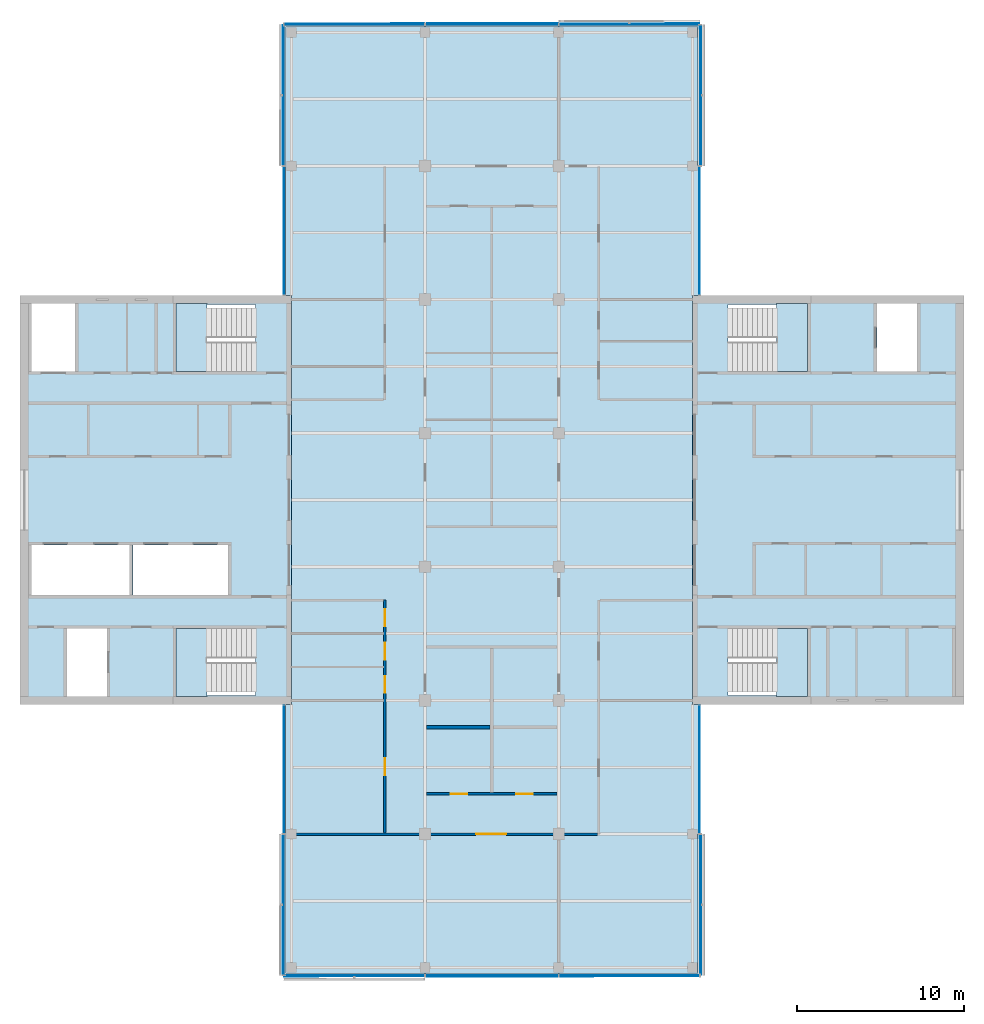
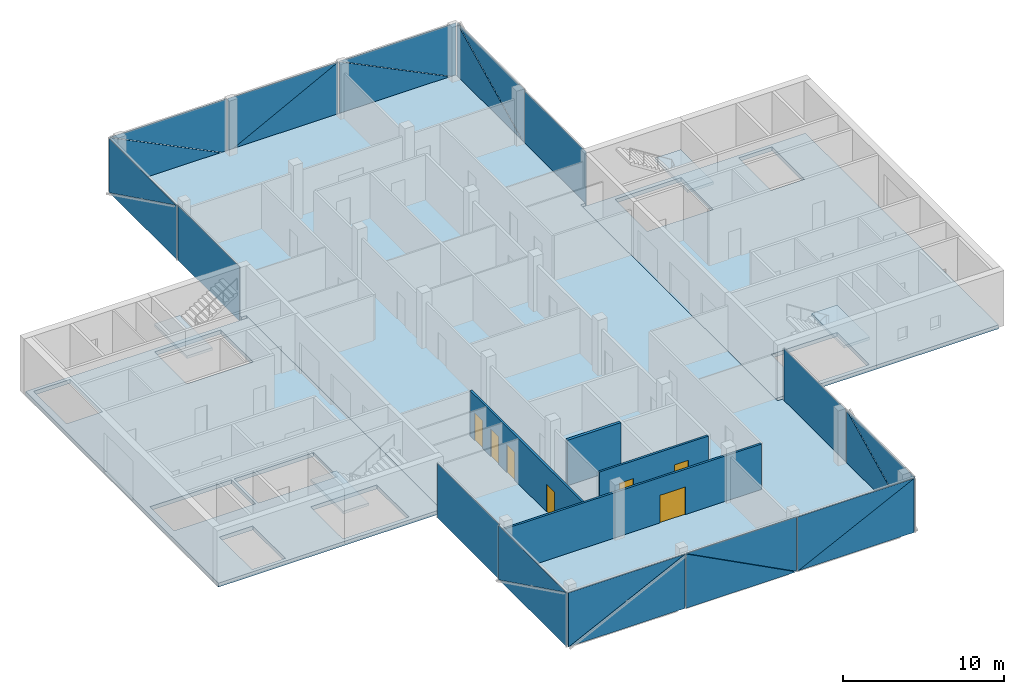
# One storey, part 8 of 16: 24 plates, 7 doors, 7 slabs, 4 walls, 7 openings, 14 elements without a shape of their own.
"""IFC4 building model written with IfcOpenShell, lengths in metres."""

from ifc_helpers import new_model, si_unit, direction, frame, frame_2d, origin, place, context, subcontext, project, spatial, polyline, rectangle, outline, extrude, material, layer, layer_set, type_object, element, fill, aggregate, save


model = new_model("IFC4")

# Units and contexts
model_context = context("Model", 3, precision=1e-05, world=origin(), true_north=direction((0.0, 1.0)))
body_context = subcontext(model_context, "Body", "Model", "MODEL_VIEW")
ifc_project = project(units=[si_unit("LENGTHUNIT", "METRE"), si_unit("AREAUNIT", "SQUARE_METRE"), si_unit("VOLUMEUNIT", "CUBIC_METRE"), si_unit("PLANEANGLEUNIT", "RADIAN"), si_unit("MASSUNIT", "GRAM", prefix="KILO")], contexts=[model_context])

# Site, building, storey
site_placement = place(None, origin())
site = spatial("IfcSite", under=ifc_project, at=site_placement, CompositionType="ELEMENT")
building_placement = place(site_placement, origin())
building = spatial("IfcBuilding", under=site, at=building_placement, Name="Crosswind Convention Tower", CompositionType="ELEMENT")
storey_placement = place(building_placement, frame((0.0, 0.0, 274.5)))
storey = spatial("IfcBuildingStorey", under=building, at=storey_placement, Name="L59", CompositionType="ELEMENT", Elevation=274.5)

# Slabs
ifc_material_1 = material(Name="Concrete C40/50", Category="concrete")
ifc_layer_1 = layer(ifc_material_1, 0.300048828125)
ifc_layer_set_1 = layer_set([ifc_layer_1], Name="Concrete C40/50")
slab_type_1 = type_object("IfcSlabType", Name="Composite floor slab 300", PredefinedType="FLOOR", material=ifc_layer_set_1)
slab_1_placement = place(storey_placement, frame((0.0, 0.0, -0.300048828125)))
element("IfcSlab", 1, at=slab_1_placement, inside=storey, type_object=slab_type_1, Name="Floor slab L59", PredefinedType="FLOOR", context=body_context, shape_type="SweptSolid", body=[
    extrude(outline(polyline([(137.35009765625, 71.64990234375), (137.0, 71.64990234375), (113.0, 71.64990234375), (112.64990234375, 71.64990234375), (112.64990234375, 72.0), (112.64990234375, 87.75), (113.0, 87.75), (113.0, 112.25), (112.64990234375, 112.25), (112.64990234375, 128.0), (112.64990234375, 128.35009765625), (113.0, 128.35009765625), (137.0, 128.35009765625), (137.35009765625, 128.35009765625), (137.35009765625, 128.0), (137.35009765625, 112.25), (137.0, 112.25), (137.0, 87.75), (137.35009765625, 87.75), (137.35009765625, 72.0), (137.35009765625, 71.64990234375)])), origin(), (0.0, 0.0, 1.0), 0.300048828125),
])
ifc_layer_2 = layer(ifc_material_1, 0.300048828125)
ifc_layer_set_2 = layer_set([ifc_layer_2], Name="Concrete C40/50")
slab_type_2 = type_object("IfcSlabType", Name="Concrete core floor slab 300", PredefinedType="FLOOR", material=ifc_layer_set_2)
slab_2_placement = place(storey_placement, frame((0.0, 0.0, -0.300048828125)))
element("IfcSlab", 2, at=slab_2_placement, inside=storey, type_object=slab_type_2, Name="Core floor slab E L59", PredefinedType="FLOOR", context=body_context, shape_type="SweptSolid", body=[
    extrude(outline(polyline([(137.0, 88.0), (153.0, 88.0), (153.0, 112.0), (137.0, 112.0), (137.0, 88.0)]), holes=[polyline([(150.449951171875, 107.699951171875), (150.449951171875, 111.75), (148.050048828125, 111.75), (148.050048828125, 107.699951171875), (150.449951171875, 107.699951171875)]), polyline([(143.89990234375, 107.699951171875), (143.89990234375, 111.699951171875), (139.14990234375, 111.699951171875), (139.14990234375, 107.699951171875), (143.89990234375, 107.699951171875)]), polyline([(143.89990234375, 88.300048828125), (143.89990234375, 92.300048828125), (139.14990234375, 92.300048828125), (139.14990234375, 88.300048828125), (143.89990234375, 88.300048828125)])]), origin(), (0.0, 0.0, 1.0), 0.300048828125),
])
slab_3_placement = place(storey_placement, frame((0.0, 0.0, -0.300048828125)))
element("IfcSlab", 3, at=slab_3_placement, inside=storey, type_object=slab_type_2, Name="Core floor slab W L59", PredefinedType="FLOOR", context=body_context, shape_type="SweptSolid", body=[
    extrude(outline(polyline([(97.0, 88.0), (113.0, 88.0), (113.0, 112.0), (97.0, 112.0), (97.0, 88.0)]), holes=[polyline([(109.199951171875, 94.300048828125), (109.199951171875, 97.300048828125), (103.5, 97.300048828125), (103.5, 94.300048828125), (109.199951171875, 94.300048828125)]), polyline([(103.300048828125, 94.300048828125), (103.300048828125, 97.300048828125), (97.449951171875, 97.300048828125), (97.449951171875, 94.300048828125), (103.300048828125, 94.300048828125)]), polyline([(101.949951171875, 88.25), (101.949951171875, 92.300048828125), (99.550048828125, 92.300048828125), (99.550048828125, 88.25), (101.949951171875, 88.25)]), polyline([(100.050048828125, 107.699951171875), (100.050048828125, 111.75), (97.449951171875, 111.75), (97.449951171875, 107.699951171875), (100.050048828125, 107.699951171875)]), polyline([(110.85009765625, 88.300048828125), (110.85009765625, 92.300048828125), (106.10009765625, 92.300048828125), (106.10009765625, 88.300048828125), (110.85009765625, 88.300048828125)]), polyline([(110.85009765625, 107.699951171875), (110.85009765625, 111.699951171875), (106.10009765625, 111.699951171875), (106.10009765625, 107.699951171875), (110.85009765625, 107.699951171875)])]), origin(), (0.0, 0.0, 1.0), 0.300048828125),
])

# Stair, slab
stair_type = type_object("IfcStairType", Name="Exit stair 1800 wide, 2 flights of 11 risers", PredefinedType="HALF_TURN_STAIR", material=ifc_material_1)
stair_1_placement = place(storey_placement, origin())
stair_1 = element("IfcStair", 4, at=stair_1_placement, inside=storey, type_object=stair_type, Name="Exit stair ST1 L59", ObjectType="ST5", PredefinedType="HALF_TURN_STAIR")
ifc_layer_3 = layer(ifc_material_1, 0.199951171875)
ifc_layer_set_3 = layer_set([ifc_layer_3], Name="Concrete C40/50")
slab_type_3 = type_object("IfcSlabType", Name="Stair landing 200", PredefinedType="LANDING", material=ifc_layer_set_3)
slab_4_placement = place(storey_placement, frame((0.0, 0.0, 1.89990234375)))
slab_4 = element("IfcSlab", 5, at=slab_4_placement, type_object=slab_type_3, Name="ST1 landing 1", PredefinedType="LANDING", context=body_context, shape_type="SweptSolid", body=[
    extrude(outline(polyline([(143.89990234375, 107.699951171875), (143.89990234375, 111.75), (142.050048828125, 111.75), (142.050048828125, 107.699951171875), (143.89990234375, 107.699951171875)])), origin(), (0.0, 0.0, 1.0), 0.2001953125),
])
aggregate(stair_1, [slab_4])

stair_2_placement = place(storey_placement, origin())
stair_2 = element("IfcStair", 6, at=stair_2_placement, inside=storey, type_object=stair_type, Name="Exit stair ST2 L59", ObjectType="ST5", PredefinedType="HALF_TURN_STAIR")
slab_5_placement = place(storey_placement, frame((0.0, 0.0, 1.89990234375)))
slab_5 = element("IfcSlab", 7, at=slab_5_placement, type_object=slab_type_3, Name="ST2 landing 1", PredefinedType="LANDING", context=body_context, shape_type="SweptSolid", body=[
    extrude(outline(polyline([(143.89990234375, 88.25), (143.89990234375, 92.300048828125), (142.050048828125, 92.300048828125), (142.050048828125, 88.25), (143.89990234375, 88.25)])), origin(), (0.0, 0.0, 1.0), 0.2001953125),
])
aggregate(stair_2, [slab_5])

stair_3_placement = place(storey_placement, origin())
stair_3 = element("IfcStair", 8, at=stair_3_placement, inside=storey, type_object=stair_type, Name="Exit stair ST3 L59", ObjectType="ST5", PredefinedType="HALF_TURN_STAIR")
slab_6_placement = place(storey_placement, frame((0.0, 0.0, 1.89990234375)))
slab_6 = element("IfcSlab", 9, at=slab_6_placement, type_object=slab_type_3, Name="ST3 landing 1", PredefinedType="LANDING", context=body_context, shape_type="SweptSolid", body=[
    extrude(outline(polyline([(107.949951171875, 88.25), (107.949951171875, 92.300048828125), (106.10009765625, 92.300048828125), (106.10009765625, 88.25), (107.949951171875, 88.25)])), origin(), (0.0, 0.0, 1.0), 0.2001953125),
])
aggregate(stair_3, [slab_6])

stair_4_placement = place(storey_placement, origin())
stair_4 = element("IfcStair", 10, at=stair_4_placement, inside=storey, type_object=stair_type, Name="Exit stair ST4 L59", ObjectType="ST5", PredefinedType="HALF_TURN_STAIR")
slab_7_placement = place(storey_placement, frame((0.0, 0.0, 1.89990234375)))
slab_7 = element("IfcSlab", 11, at=slab_7_placement, type_object=slab_type_3, Name="ST4 landing 1", PredefinedType="LANDING", context=body_context, shape_type="SweptSolid", body=[
    extrude(outline(polyline([(107.949951171875, 107.699951171875), (107.949951171875, 111.75), (106.10009765625, 111.75), (106.10009765625, 107.699951171875), (107.949951171875, 107.699951171875)])), origin(), (0.0, 0.0, 1.0), 0.2001953125),
])
aggregate(stair_4, [slab_7])

# Curtain wall, plate
ifc_material_2 = material(Name="Aluminium unitised curtain wall", Category="aluminium")
curtain_wall_type_1 = type_object("IfcCurtainWallType", Name="CORE END SLOT WALL 160", PredefinedType="USERDEFINED", material=ifc_material_2)
curtain_wall_1_placement = place(storey_placement, origin())
curtain_wall_1 = element("IfcCurtainWall", 12, at=curtain_wall_1_placement, inside=storey, type_object=curtain_wall_type_1, Name="CW6 L59 N-E.1-1 slot", ObjectType="UNITISED", PredefinedType="USERDEFINED")
ifc_material_3 = material(Name="Laminated insulating glass unit", Category="glass")
ifc_layer_4 = layer(ifc_material_3, 0.02587890625)
ifc_layer_set_4 = layer_set([ifc_layer_4], Name="TRIANGULAR GLASS PANEL 26")
plate_type_1 = type_object("IfcPlateType", Name="TRIANGULAR GLASS PANEL 26", PredefinedType="CURTAIN_PANEL", material=ifc_layer_set_4)
plate_1_placement = place(storey_placement, frame((137.456787109375, 112.300048828125, -0.300048828125), z_axis=(0.999999915215, 0.0, 0.000411788894), x_axis=(0.0, 1.0, 0.0)))
plate_1 = element("IfcPlate", 13, at=plate_1_placement, type_object=plate_type_1, Name="CW6 panel 1.1", PredefinedType="CURTAIN_PANEL", context=body_context, shape_type="SweptSolid", body=[
    extrude(outline(polyline([(0.0, 0.0), (7.64990234375, 0.0), (7.64990234375, 4.150146836245408), (0.0, 4.150146836245408), (0.0, 0.0)])), origin(), (0.0, 0.0, -1.0), 0.02587890625),
])
aggregate(curtain_wall_1, [plate_1])

curtain_wall_2_placement = place(storey_placement, origin())
curtain_wall_2 = element("IfcCurtainWall", 14, at=curtain_wall_2_placement, inside=storey, type_object=curtain_wall_type_1, Name="CW6 L59 N-W.1-2 slot", ObjectType="UNITISED", PredefinedType="USERDEFINED")
plate_2_placement = place(storey_placement, frame((112.543212890625, 119.949951171875, -0.300048828125), z_axis=(-0.999999915215, 0.0, 0.000411788894), x_axis=(0.0, -1.0, 0.0)))
plate_2 = element("IfcPlate", 15, at=plate_2_placement, type_object=plate_type_1, Name="CW6 panel 1.1", PredefinedType="CURTAIN_PANEL", context=body_context, shape_type="SweptSolid", body=[
    extrude(outline(polyline([(0.0, 0.0), (7.64990234375, 0.0), (7.64990234375, 4.150146836245408), (0.0, 4.150146836245408), (0.0, 0.0)])), origin(), (0.0, 0.0, -1.0), 0.02587890625),
])
aggregate(curtain_wall_2, [plate_2])

curtain_wall_3_placement = place(storey_placement, origin())
curtain_wall_3 = element("IfcCurtainWall", 16, at=curtain_wall_3_placement, inside=storey, type_object=curtain_wall_type_1, Name="CW6 L59 S-W.1-1 slot", ObjectType="UNITISED", PredefinedType="USERDEFINED")
plate_3_placement = place(storey_placement, frame((112.543212890625, 87.699951171875, -0.300048828125), z_axis=(-0.999999915215, 0.0, 0.000411788894), x_axis=(0.0, -1.0, 0.0)))
plate_3 = element("IfcPlate", 17, at=plate_3_placement, type_object=plate_type_1, Name="CW6 panel 1.1", PredefinedType="CURTAIN_PANEL", context=body_context, shape_type="SweptSolid", body=[
    extrude(outline(polyline([(0.0, 0.0), (7.64990234375, 0.0), (7.64990234375, 4.150146836245408), (0.0, 4.150146836245408), (0.0, 0.0)])), origin(), (0.0, 0.0, -1.0), 0.02587890625),
])
aggregate(curtain_wall_3, [plate_3])

curtain_wall_4_placement = place(storey_placement, origin())
curtain_wall_4 = element("IfcCurtainWall", 18, at=curtain_wall_4_placement, inside=storey, type_object=curtain_wall_type_1, Name="CW6 L59 S-E.1-2 slot", ObjectType="UNITISED", PredefinedType="USERDEFINED")
plate_4_placement = place(storey_placement, frame((137.456787109375, 80.050048828125, -0.300048828125), z_axis=(0.999999915215, 0.0, 0.000411788894), x_axis=(0.0, 1.0, 0.0)))
plate_4 = element("IfcPlate", 19, at=plate_4_placement, type_object=plate_type_1, Name="CW6 panel 1.1", PredefinedType="CURTAIN_PANEL", context=body_context, shape_type="SweptSolid", body=[
    extrude(outline(polyline([(0.0, 0.0), (7.64990234375, 0.0), (7.64990234375, 4.150146836245408), (0.0, 4.150146836245408), (0.0, 0.0)])), origin(), (0.0, 0.0, -1.0), 0.02587890625),
])
aggregate(curtain_wall_4, [plate_4])

# Curtain wall, plates
curtain_wall_type_2 = type_object("IfcCurtainWallType", Name="OFFICE UNITISED WALL 220", PredefinedType="USERDEFINED", material=ifc_material_2)
curtain_wall_5_placement = place(storey_placement, origin())
curtain_wall_5 = element("IfcCurtainWall", 20, at=curtain_wall_5_placement, inside=storey, type_object=curtain_wall_type_2, Name="CW3 L59 N-E 1", ObjectType="UNITISED", PredefinedType="USERDEFINED")
ifc_layer_5 = layer(ifc_material_3, 0.031982421875)
ifc_layer_set_5 = layer_set([ifc_layer_5], Name="TRIANGULAR GLASS PANEL 32")
plate_type_2 = type_object("IfcPlateType", Name="TRIANGULAR GLASS PANEL 32", PredefinedType="CURTAIN_PANEL", material=ifc_layer_set_5)
plate_5_placement = place(storey_placement, frame((137.492919921875, 128.425048828125, -0.300048828125), z_axis=(0.999999913924, 0.0, 0.000414913129), x_axis=(-0.000414913129, 0.0, 0.999999913924)))
plate_5 = element("IfcPlate", 21, at=plate_5_placement, type_object=plate_type_2, Name="CW3 panel 1.1", PredefinedType="CURTAIN_PANEL", context=body_context, shape_type="SweptSolid", body=[
    extrude(outline(polyline([(0.0, 0.0), (4.118896838915043, 0.0), (0.0, 8.367431640625), (0.0, 0.0)])), origin(), (0.0, 0.0, -1.0), 0.031982421875),
])
plate_6_placement = place(storey_placement, frame((137.525146484375, 120.034912109375, 3.830078125), z_axis=(0.999999913924, 0.0, 0.000414913129), x_axis=(0.000414913129, 0.0, -0.999999913924)))
plate_6 = element("IfcPlate", 22, at=plate_6_placement, type_object=plate_type_2, Name="CW3 panel 1.2", PredefinedType="CURTAIN_PANEL", context=body_context, shape_type="SweptSolid", body=[
    extrude(outline(polyline([(0.0, 0.0), (4.118896838915043, 0.0), (0.0, 8.367431640625), (0.0, 0.0)])), origin(), (0.0, 0.0, -1.0), 0.031982421875),
])
aggregate(curtain_wall_5, [plate_5, plate_6])

curtain_wall_6_placement = place(storey_placement, origin())
curtain_wall_6 = element("IfcCurtainWall", 23, at=curtain_wall_6_placement, inside=storey, type_object=curtain_wall_type_2, Name="CW3 L59 N-TIP 1", ObjectType="UNITISED", PredefinedType="USERDEFINED")
plate_7_placement = place(storey_placement, frame((129.034912109375, 128.492919921875, -0.300048828125), z_axis=(0.0, 0.999999913924, 0.000414913129), x_axis=(0.0, -0.000414913129, 0.999999913924)))
plate_7 = element("IfcPlate", 24, at=plate_7_placement, type_object=plate_type_2, Name="CW3 panel 1.1", PredefinedType="CURTAIN_PANEL", context=body_context, shape_type="SweptSolid", body=[
    extrude(outline(polyline([(0.0, 0.0), (4.118896838915043, 0.0), (0.0, 8.367431640625), (0.0, 0.0)])), origin(), (0.0, 0.0, -1.0), 0.031982421875),
])
plate_8_placement = place(storey_placement, frame((137.425048828125, 128.525146484375, 3.830078125), z_axis=(0.0, 0.999999913924, 0.000414913129), x_axis=(0.0, 0.000414913129, -0.999999913924)))
plate_8 = element("IfcPlate", 25, at=plate_8_placement, type_object=plate_type_2, Name="CW3 panel 1.2", PredefinedType="CURTAIN_PANEL", context=body_context, shape_type="SweptSolid", body=[
    extrude(outline(polyline([(0.0, 0.0), (4.118896838915043, 0.0), (0.0, 8.367431640625), (0.0, 0.0)])), origin(), (0.0, 0.0, -1.0), 0.031982421875),
])
plate_9_placement = place(storey_placement, frame((121.034912109375, 128.4912109375, 3.830078125), z_axis=(0.0, 0.999999913924, 0.000414913129), x_axis=(1.0, 0.0, 0.0)))
plate_9 = element("IfcPlate", 26, at=plate_9_placement, type_object=plate_type_2, Name="CW3 panel 2.1", PredefinedType="CURTAIN_PANEL", context=body_context, shape_type="SweptSolid", body=[
    extrude(outline(polyline([(0.0, 0.0), (7.908447265625, 0.0), (0.0, 4.118896838915043), (0.0, 0.0)])), origin(), (0.0, 0.0, -1.0), 0.031982421875),
])
plate_10_placement = place(storey_placement, frame((128.965087890625, 128.52685546875, -0.300048828125), z_axis=(0.0, 0.999999913913, 0.000414937724), x_axis=(-1.0, 0.0, 0.0)))
plate_10 = element("IfcPlate", 27, at=plate_10_placement, type_object=plate_type_2, Name="CW3 panel 2.2", PredefinedType="CURTAIN_PANEL", context=body_context, shape_type="SweptSolid", body=[
    extrude(outline(polyline([(0.0, 0.0), (7.908447265625, 0.0), (0.0, 4.118652698311059), (0.0, 0.0)])), origin(), (0.0, 0.0, -1.0), 0.031982421875),
])
plate_11_placement = place(storey_placement, frame((112.574951171875, 128.492919921875, -0.300048828125), z_axis=(0.0, 0.999999913924, 0.000414913129), x_axis=(0.0, -0.000414913129, 0.999999913924)))
plate_11 = element("IfcPlate", 28, at=plate_11_placement, type_object=plate_type_2, Name="CW3 panel 3.1", PredefinedType="CURTAIN_PANEL", context=body_context, shape_type="SweptSolid", body=[
    extrude(outline(polyline([(0.0, 0.0), (4.118896838915043, 0.0), (0.0, 8.367431640625), (0.0, 0.0)])), origin(), (0.0, 0.0, -1.0), 0.031982421875),
])
plate_12_placement = place(storey_placement, frame((120.965087890625, 128.525146484375, 3.830078125), z_axis=(0.0, 0.999999913924, 0.000414913129), x_axis=(0.0, 0.000414913129, -0.999999913924)))
plate_12 = element("IfcPlate", 29, at=plate_12_placement, type_object=plate_type_2, Name="CW3 panel 3.2", PredefinedType="CURTAIN_PANEL", context=body_context, shape_type="SweptSolid", body=[
    extrude(outline(polyline([(0.0, 0.0), (4.118896838915043, 0.0), (0.0, 8.367431640625), (0.0, 0.0)])), origin(), (0.0, 0.0, -1.0), 0.031982421875),
])
aggregate(curtain_wall_6, [plate_7, plate_8, plate_9, plate_10, plate_11, plate_12])

curtain_wall_7_placement = place(storey_placement, origin())
curtain_wall_7 = element("IfcCurtainWall", 30, at=curtain_wall_7_placement, inside=storey, type_object=curtain_wall_type_2, Name="CW3 L59 N-W 1", ObjectType="UNITISED", PredefinedType="USERDEFINED")
plate_13_placement = place(storey_placement, frame((112.507080078125, 120.034912109375, -0.300048828125), z_axis=(-0.999999913924, 0.0, 0.000414913129), x_axis=(0.000414913129, 0.0, 0.999999913924)))
plate_13 = element("IfcPlate", 31, at=plate_13_placement, type_object=plate_type_2, Name="CW3 panel 1.1", PredefinedType="CURTAIN_PANEL", context=body_context, shape_type="SweptSolid", body=[
    extrude(outline(polyline([(0.0, 0.0), (4.118896838915043, 0.0), (0.0, 8.367431640625), (0.0, 0.0)])), origin(), (0.0, 0.0, -1.0), 0.031982421875),
])
plate_14_placement = place(storey_placement, frame((112.474853515625, 128.425048828125, 3.830078125), z_axis=(-0.999999913924, 0.0, 0.000414913129), x_axis=(-0.000414913129, 0.0, -0.999999913924)))
plate_14 = element("IfcPlate", 32, at=plate_14_placement, type_object=plate_type_2, Name="CW3 panel 1.2", PredefinedType="CURTAIN_PANEL", context=body_context, shape_type="SweptSolid", body=[
    extrude(outline(polyline([(0.0, 0.0), (4.118896838915043, 0.0), (0.0, 8.367431640625), (0.0, 0.0)])), origin(), (0.0, 0.0, -1.0), 0.031982421875),
])
aggregate(curtain_wall_7, [plate_13, plate_14])

curtain_wall_8_placement = place(storey_placement, origin())
curtain_wall_8 = element("IfcCurtainWall", 33, at=curtain_wall_8_placement, inside=storey, type_object=curtain_wall_type_2, Name="CW3 L59 S-W 1", ObjectType="UNITISED", PredefinedType="USERDEFINED")
plate_15_placement = place(storey_placement, frame((112.507080078125, 71.574951171875, -0.300048828125), z_axis=(-0.999999913924, 0.0, 0.000414913129), x_axis=(0.000414913129, 0.0, 0.999999913924)))
plate_15 = element("IfcPlate", 34, at=plate_15_placement, type_object=plate_type_2, Name="CW3 panel 1.1", PredefinedType="CURTAIN_PANEL", context=body_context, shape_type="SweptSolid", body=[
    extrude(outline(polyline([(0.0, 0.0), (4.118896838915043, 0.0), (0.0, 8.367431640625), (0.0, 0.0)])), origin(), (0.0, 0.0, -1.0), 0.031982421875),
])
plate_16_placement = place(storey_placement, frame((112.474853515625, 79.965087890625, 3.830078125), z_axis=(-0.999999913924, 0.0, 0.000414913129), x_axis=(-0.000414913129, 0.0, -0.999999913924)))
plate_16 = element("IfcPlate", 35, at=plate_16_placement, type_object=plate_type_2, Name="CW3 panel 1.2", PredefinedType="CURTAIN_PANEL", context=body_context, shape_type="SweptSolid", body=[
    extrude(outline(polyline([(0.0, 0.0), (4.118896838915043, 0.0), (0.0, 8.367431640625), (0.0, 0.0)])), origin(), (0.0, 0.0, -1.0), 0.031982421875),
])
aggregate(curtain_wall_8, [plate_15, plate_16])

curtain_wall_9_placement = place(storey_placement, origin())
curtain_wall_9 = element("IfcCurtainWall", 36, at=curtain_wall_9_placement, inside=storey, type_object=curtain_wall_type_2, Name="CW3 L59 S-TIP 1", ObjectType="UNITISED", PredefinedType="USERDEFINED")
plate_17_placement = place(storey_placement, frame((120.965087890625, 71.507080078125, -0.300048828125), z_axis=(0.0, -0.999999913924, 0.000414913129), x_axis=(0.0, 0.000414913129, 0.999999913924)))
plate_17 = element("IfcPlate", 37, at=plate_17_placement, type_object=plate_type_2, Name="CW3 panel 1.1", PredefinedType="CURTAIN_PANEL", context=body_context, shape_type="SweptSolid", body=[
    extrude(outline(polyline([(0.0, 0.0), (4.118896838915043, 0.0), (0.0, 8.367431640625), (0.0, 0.0)])), origin(), (0.0, 0.0, -1.0), 0.031982421875),
])
plate_18_placement = place(storey_placement, frame((112.574951171875, 71.474853515625, 3.830078125), z_axis=(0.0, -0.999999913924, 0.000414913129), x_axis=(0.0, -0.000414913129, -0.999999913924)))
plate_18 = element("IfcPlate", 38, at=plate_18_placement, type_object=plate_type_2, Name="CW3 panel 1.2", PredefinedType="CURTAIN_PANEL", context=body_context, shape_type="SweptSolid", body=[
    extrude(outline(polyline([(0.0, 0.0), (4.118896838915043, 0.0), (0.0, 8.367431640625), (0.0, 0.0)])), origin(), (0.0, 0.0, -1.0), 0.031982421875),
])
plate_19_placement = place(storey_placement, frame((128.965087890625, 71.5087890625, 3.830078125), z_axis=(0.0, -0.999999913924, 0.000414913129), x_axis=(-1.0, 0.0, 0.0)))
plate_19 = element("IfcPlate", 39, at=plate_19_placement, type_object=plate_type_2, Name="CW3 panel 2.1", PredefinedType="CURTAIN_PANEL", context=body_context, shape_type="SweptSolid", body=[
    extrude(outline(polyline([(0.0, 0.0), (7.908447265625, 0.0), (0.0, 4.118896838915043), (0.0, 0.0)])), origin(), (0.0, 0.0, -1.0), 0.031982421875),
])
plate_20_placement = place(storey_placement, frame((121.034912109375, 71.47314453125, -0.300048828125), z_axis=(0.0, -0.999999913913, 0.000414937724), x_axis=(1.0, 0.0, 0.0)))
plate_20 = element("IfcPlate", 40, at=plate_20_placement, type_object=plate_type_2, Name="CW3 panel 2.2", PredefinedType="CURTAIN_PANEL", context=body_context, shape_type="SweptSolid", body=[
    extrude(outline(polyline([(0.0, 0.0), (7.908447265625, 0.0), (0.0, 4.118652698311059), (0.0, 0.0)])), origin(), (0.0, 0.0, -1.0), 0.031982421875),
])
plate_21_placement = place(storey_placement, frame((137.425048828125, 71.507080078125, -0.300048828125), z_axis=(0.0, -0.999999913924, 0.000414913129), x_axis=(0.0, 0.000414913129, 0.999999913924)))
plate_21 = element("IfcPlate", 41, at=plate_21_placement, type_object=plate_type_2, Name="CW3 panel 3.1", PredefinedType="CURTAIN_PANEL", context=body_context, shape_type="SweptSolid", body=[
    extrude(outline(polyline([(0.0, 0.0), (4.118896838915043, 0.0), (0.0, 8.367431640625), (0.0, 0.0)])), origin(), (0.0, 0.0, -1.0), 0.031982421875),
])
plate_22_placement = place(storey_placement, frame((129.034912109375, 71.474853515625, 3.830078125), z_axis=(0.0, -0.999999913924, 0.000414913129), x_axis=(0.0, -0.000414913129, -0.999999913924)))
plate_22 = element("IfcPlate", 42, at=plate_22_placement, type_object=plate_type_2, Name="CW3 panel 3.2", PredefinedType="CURTAIN_PANEL", context=body_context, shape_type="SweptSolid", body=[
    extrude(outline(polyline([(0.0, 0.0), (4.118896838915043, 0.0), (0.0, 8.367431640625), (0.0, 0.0)])), origin(), (0.0, 0.0, -1.0), 0.031982421875),
])
aggregate(curtain_wall_9, [plate_17, plate_18, plate_19, plate_20, plate_21, plate_22])

curtain_wall_10_placement = place(storey_placement, origin())
curtain_wall_10 = element("IfcCurtainWall", 43, at=curtain_wall_10_placement, inside=storey, type_object=curtain_wall_type_2, Name="CW3 L59 S-E 1", ObjectType="UNITISED", PredefinedType="USERDEFINED")
plate_23_placement = place(storey_placement, frame((137.492919921875, 79.965087890625, -0.300048828125), z_axis=(0.999999913924, 0.0, 0.000414913129), x_axis=(-0.000414913129, 0.0, 0.999999913924)))
plate_23 = element("IfcPlate", 44, at=plate_23_placement, type_object=plate_type_2, Name="CW3 panel 1.1", PredefinedType="CURTAIN_PANEL", context=body_context, shape_type="SweptSolid", body=[
    extrude(outline(polyline([(0.0, 0.0), (4.118896838915043, 0.0), (0.0, 8.367431640625), (0.0, 0.0)])), origin(), (0.0, 0.0, -1.0), 0.031982421875),
])
plate_24_placement = place(storey_placement, frame((137.525146484375, 71.574951171875, 3.830078125), z_axis=(0.999999913924, 0.0, 0.000414913129), x_axis=(0.000414913129, 0.0, -0.999999913924)))
plate_24 = element("IfcPlate", 45, at=plate_24_placement, type_object=plate_type_2, Name="CW3 panel 1.2", PredefinedType="CURTAIN_PANEL", context=body_context, shape_type="SweptSolid", body=[
    extrude(outline(polyline([(0.0, 0.0), (4.118896838915043, 0.0), (0.0, 8.367431640625), (0.0, 0.0)])), origin(), (0.0, 0.0, -1.0), 0.031982421875),
])
aggregate(curtain_wall_10, [plate_23, plate_24])

# Wall
ifc_material_4 = material(Name="Concrete blockwork", Category="masonry")
ifc_layer_6 = layer(ifc_material_4, 0.199951171875)
ifc_layer_set_6 = layer_set([ifc_layer_6], Name="COMPARTMENT WALL 200 BLOCKWORK")
wall_type_1 = type_object("IfcWallType", Name="COMPARTMENT WALL 200 BLOCKWORK", PredefinedType="SOLIDWALL", material=ifc_layer_set_6)
wall_1_placement = place(storey_placement, frame((121.074951171875, 86.39990234375, 0.0), z_axis=(0.0, 0.0, 1.0), x_axis=(1.0, 0.0, 0.0)))
element("IfcWall", 46, at=wall_1_placement, inside=storey, type_object=wall_type_1, Name="Compartment wall WT42", PredefinedType="SOLIDWALL", context=body_context, shape_type="SweptSolid", body=[
    extrude(rectangle(XDim=3.824951171875, YDim=0.199951171875, at=frame_2d((1.91259765625, 0.0))), origin(), (0.0, 0.0, 1.0), 3.44287109375),
])

# Wall, openings, doors
ifc_material_5 = material(Name="Fire-board partition with mineral wool", Category="gypsum")
ifc_layer_7 = layer(ifc_material_5, 0.14990234375)
ifc_layer_set_7 = layer_set([ifc_layer_7], Name="TENANCY WALL 150 TWO-HOUR BOARD")
wall_type_2 = type_object("IfcWallType", Name="TENANCY WALL 150 TWO-HOUR BOARD", PredefinedType="PARTITIONING", material=ifc_layer_set_7)
wall_2_placement = place(storey_placement, frame((118.60009765625, 80.074951171875, 0.0), z_axis=(0.0, 0.0, 1.0), x_axis=(0.0, 1.0, 0.0)))
wall_2 = element("IfcWall", 47, at=wall_2_placement, inside=storey, type_object=wall_type_2, Name="Tenancy wall WT41", PredefinedType="PARTITIONING", context=body_context, shape_type="SweptSolid", body=[
    extrude(rectangle(XDim=13.925048828125, YDim=0.14990234375, at=frame_2d((6.96240234375, 0.0))), origin(), (0.0, 0.0, 1.0), 3.44287109375),
])
opening_1_placement = place(wall_2_placement, frame((12.375, 0.0, 0.0)))
opening_1 = element("IfcOpeningElement", 48, at=opening_1_placement, cuts=wall_2, Name="Opening L59-58", PredefinedType="OPENING", context=body_context, shape_type="SweptSolid", body=[
    extrude(rectangle(XDim=1.0, YDim=2.10009765625, at=frame_2d((0.5, 1.050048828125))), frame((0.0, 0.0849609375, 0.0), z_axis=(0.0, -1.0, 0.0), x_axis=(1.0, 0.0, 0.0)), (0.0, 0.0, 1.0), 0.169921875),
])
opening_2_placement = place(wall_2_placement, frame((10.375, 0.0, 0.0)))
opening_2 = element("IfcOpeningElement", 49, at=opening_2_placement, cuts=wall_2, Name="Opening L59-59", PredefinedType="OPENING", context=body_context, shape_type="SweptSolid", body=[
    extrude(rectangle(XDim=1.0, YDim=2.10009765625, at=frame_2d((0.5, 1.050048828125))), frame((0.0, 0.0849609375, 0.0), z_axis=(0.0, -1.0, 0.0), x_axis=(1.0, 0.0, 0.0)), (0.0, 0.0, 1.0), 0.169921875),
])
opening_3_placement = place(wall_2_placement, frame((8.375, 0.0, 0.0)))
opening_3 = element("IfcOpeningElement", 50, at=opening_3_placement, cuts=wall_2, Name="Opening L59-60", PredefinedType="OPENING", context=body_context, shape_type="SweptSolid", body=[
    extrude(rectangle(XDim=1.0, YDim=2.10009765625, at=frame_2d((0.5, 1.050048828125))), frame((0.0, 0.0849609375, 0.0), z_axis=(0.0, -1.0, 0.0), x_axis=(1.0, 0.0, 0.0)), (0.0, 0.0, 1.0), 0.169921875),
])
opening_4_placement = place(wall_2_placement, frame((3.449951171875, 0.0, 0.0)))
opening_4 = element("IfcOpeningElement", 51, at=opening_4_placement, cuts=wall_2, Name="Opening L59-61", PredefinedType="OPENING", context=body_context, shape_type="SweptSolid", body=[
    extrude(rectangle(XDim=1.0, YDim=2.10009765625, at=frame_2d((0.5, 1.050048828125))), frame((0.0, 0.0849609375, 0.0), z_axis=(0.0, -1.0, 0.0), x_axis=(1.0, 0.0, 0.0)), (0.0, 0.0, 1.0), 0.169921875),
])
ifc_material_6 = material(Name="Timber fire door", Category="wood")
door_type_1 = type_object("IfcDoorType", Name="TENANCY ENTRANCE DOOR 1000X2100 FD30S", OperationType="NOTDEFINED", PredefinedType="DOOR", material=ifc_material_6)
door_1_placement = place(opening_1_placement, origin())
door_1 = element("IfcDoor", 52, at=door_1_placement, inside=storey, type_object=door_type_1, Name="Door L59-58", ObjectType="D41", OperationType="SINGLE_SWING_LEFT", OverallHeight=2.10009765625, OverallWidth=1.0, PredefinedType="DOOR", context=body_context, shape_type="SweptSolid", body=[
    extrude(rectangle(XDim=1.0, YDim=2.10009765625, at=frame_2d((0.5, 1.050048828125))), frame((0.0, 0.02490234375, 0.0), z_axis=(0.0, -1.0, 0.0), x_axis=(1.0, 0.0, 0.0)), (0.0, 0.0, 1.0), 0.050048828125),
])
fill(opening_1, door_1)
door_2_placement = place(opening_2_placement, origin())
door_2 = element("IfcDoor", 53, at=door_2_placement, inside=storey, type_object=door_type_1, Name="Door L59-59", ObjectType="D41", OperationType="SINGLE_SWING_LEFT", OverallHeight=2.10009765625, OverallWidth=1.0, PredefinedType="DOOR", context=body_context, shape_type="SweptSolid", body=[
    extrude(rectangle(XDim=1.0, YDim=2.10009765625, at=frame_2d((0.5, 1.050048828125))), frame((0.0, 0.02490234375, 0.0), z_axis=(0.0, -1.0, 0.0), x_axis=(1.0, 0.0, 0.0)), (0.0, 0.0, 1.0), 0.050048828125),
])
fill(opening_2, door_2)
door_3_placement = place(opening_3_placement, origin())
door_3 = element("IfcDoor", 54, at=door_3_placement, inside=storey, type_object=door_type_1, Name="Door L59-60", ObjectType="D41", OperationType="SINGLE_SWING_LEFT", OverallHeight=2.10009765625, OverallWidth=1.0, PredefinedType="DOOR", context=body_context, shape_type="SweptSolid", body=[
    extrude(rectangle(XDim=1.0, YDim=2.10009765625, at=frame_2d((0.5, 1.050048828125))), frame((0.0, 0.02490234375, 0.0), z_axis=(0.0, -1.0, 0.0), x_axis=(1.0, 0.0, 0.0)), (0.0, 0.0, 1.0), 0.050048828125),
])
fill(opening_3, door_3)
door_4_placement = place(opening_4_placement, origin())
door_4 = element("IfcDoor", 55, at=door_4_placement, inside=storey, type_object=door_type_1, Name="Door L59-61", ObjectType="D41", OperationType="SINGLE_SWING_RIGHT", OverallHeight=2.10009765625, OverallWidth=1.0, PredefinedType="DOOR", context=body_context, shape_type="SweptSolid", body=[
    extrude(rectangle(XDim=1.0, YDim=2.10009765625, at=frame_2d((0.5, 1.050048828125))), frame((0.0, 0.02490234375, 0.0), z_axis=(0.0, -1.0, 0.0), x_axis=(1.0, 0.0, 0.0)), (0.0, 0.0, 1.0), 0.050048828125),
])
fill(opening_4, door_4)

# Wall, opening, door
wall_3_placement = place(storey_placement, frame((112.72998046875, 80.0, 0.0), z_axis=(0.0, 0.0, 1.0), x_axis=(1.0, 0.0, 0.0)))
wall_3 = element("IfcWall", 56, at=wall_3_placement, inside=storey, type_object=wall_type_2, Name="Tenancy wall WT41", PredefinedType="PARTITIONING", context=body_context, shape_type="SweptSolid", body=[
    extrude(rectangle(XDim=18.594970703125, YDim=0.14990234375, at=frame_2d((9.29736328125, 0.0))), origin(), (0.0, 0.0, 1.0), 3.44287109375),
])
opening_5_placement = place(wall_3_placement, frame((11.320068359375, 0.0, 0.0)))
opening_5 = element("IfcOpeningElement", 57, at=opening_5_placement, cuts=wall_3, Name="Opening L59-64", PredefinedType="OPENING", context=body_context, shape_type="SweptSolid", body=[
    extrude(rectangle(XDim=1.800048828125, YDim=2.10009765625, at=frame_2d((0.89990234375, 1.050048828125))), frame((0.0, 0.0849609375, 0.0), z_axis=(0.0, -1.0, 0.0), x_axis=(1.0, 0.0, 0.0)), (0.0, 0.0, 1.0), 0.169921875),
])
door_type_2 = type_object("IfcDoorType", Name="TENANCY ENTRANCE DOUBLE DOOR 1800X2100 FD30S", OperationType="DOUBLE_DOOR_SINGLE_SWING", PredefinedType="DOOR", material=ifc_material_6)
door_5_placement = place(opening_5_placement, frame((1.800048828125, 0.0, 0.0), z_axis=(0.0, 0.0, 1.0), x_axis=(-1.0, 0.0, 0.0)))
door_5 = element("IfcDoor", 58, at=door_5_placement, inside=storey, type_object=door_type_2, Name="Door L59-64", ObjectType="D42", OperationType="DOUBLE_DOOR_SINGLE_SWING", OverallHeight=2.10009765625, OverallWidth=1.800048828125, PredefinedType="DOOR", context=body_context, shape_type="SweptSolid", body=[
    extrude(rectangle(XDim=1.800048828125, YDim=2.10009765625, at=frame_2d((0.89990234375, 1.050048828125))), frame((0.0, 0.02490234375, 0.0), z_axis=(0.0, -1.0, 0.0), x_axis=(1.0, 0.0, 0.0)), (0.0, 0.0, 1.0), 0.050048828125),
])
fill(opening_5, door_5)

# Wall, openings, doors
wall_4_placement = place(storey_placement, frame((121.074951171875, 82.39990234375, 0.0), z_axis=(0.0, 0.0, 1.0), x_axis=(1.0, 0.0, 0.0)))
wall_4 = element("IfcWall", 59, at=wall_4_placement, inside=storey, type_object=wall_type_2, Name="Tenancy wall WT41", PredefinedType="PARTITIONING", context=body_context, shape_type="SweptSolid", body=[
    extrude(rectangle(XDim=7.824951171875, YDim=0.14990234375, at=frame_2d((3.91259765625, 0.0))), origin(), (0.0, 0.0, 1.0), 3.44287109375),
])
opening_6_placement = place(wall_4_placement, frame((1.449951171875, 0.0, 0.0)))
opening_6 = element("IfcOpeningElement", 60, at=opening_6_placement, cuts=wall_4, Name="Opening L59-65", PredefinedType="OPENING", context=body_context, shape_type="SweptSolid", body=[
    extrude(rectangle(XDim=1.0, YDim=2.10009765625, at=frame_2d((0.5, 1.050048828125))), frame((0.0, 0.0849609375, 0.0), z_axis=(0.0, -1.0, 0.0), x_axis=(1.0, 0.0, 0.0)), (0.0, 0.0, 1.0), 0.169921875),
])
opening_7_placement = place(wall_4_placement, frame((5.375, 0.0, 0.0)))
opening_7 = element("IfcOpeningElement", 61, at=opening_7_placement, cuts=wall_4, Name="Opening L59-66", PredefinedType="OPENING", context=body_context, shape_type="SweptSolid", body=[
    extrude(rectangle(XDim=1.0, YDim=2.10009765625, at=frame_2d((0.5, 1.050048828125))), frame((0.0, 0.0849609375, 0.0), z_axis=(0.0, -1.0, 0.0), x_axis=(1.0, 0.0, 0.0)), (0.0, 0.0, 1.0), 0.169921875),
])
door_6_placement = place(opening_6_placement, origin())
door_6 = element("IfcDoor", 62, at=door_6_placement, inside=storey, type_object=door_type_1, Name="Door L59-65", ObjectType="D41", OperationType="SINGLE_SWING_RIGHT", OverallHeight=2.10009765625, OverallWidth=1.0, PredefinedType="DOOR", context=body_context, shape_type="SweptSolid", body=[
    extrude(rectangle(XDim=1.0, YDim=2.10009765625, at=frame_2d((0.5, 1.050048828125))), frame((0.0, 0.02490234375, 0.0), z_axis=(0.0, -1.0, 0.0), x_axis=(1.0, 0.0, 0.0)), (0.0, 0.0, 1.0), 0.050048828125),
])
fill(opening_6, door_6)
door_7_placement = place(opening_7_placement, origin())
door_7 = element("IfcDoor", 63, at=door_7_placement, inside=storey, type_object=door_type_1, Name="Door L59-66", ObjectType="D41", OperationType="SINGLE_SWING_LEFT", OverallHeight=2.10009765625, OverallWidth=1.0, PredefinedType="DOOR", context=body_context, shape_type="SweptSolid", body=[
    extrude(rectangle(XDim=1.0, YDim=2.10009765625, at=frame_2d((0.5, 1.050048828125))), frame((0.0, 0.02490234375, 0.0), z_axis=(0.0, -1.0, 0.0), x_axis=(1.0, 0.0, 0.0)), (0.0, 0.0, 1.0), 0.050048828125),
])
fill(opening_7, door_7)

save(model, "model.ifc")
